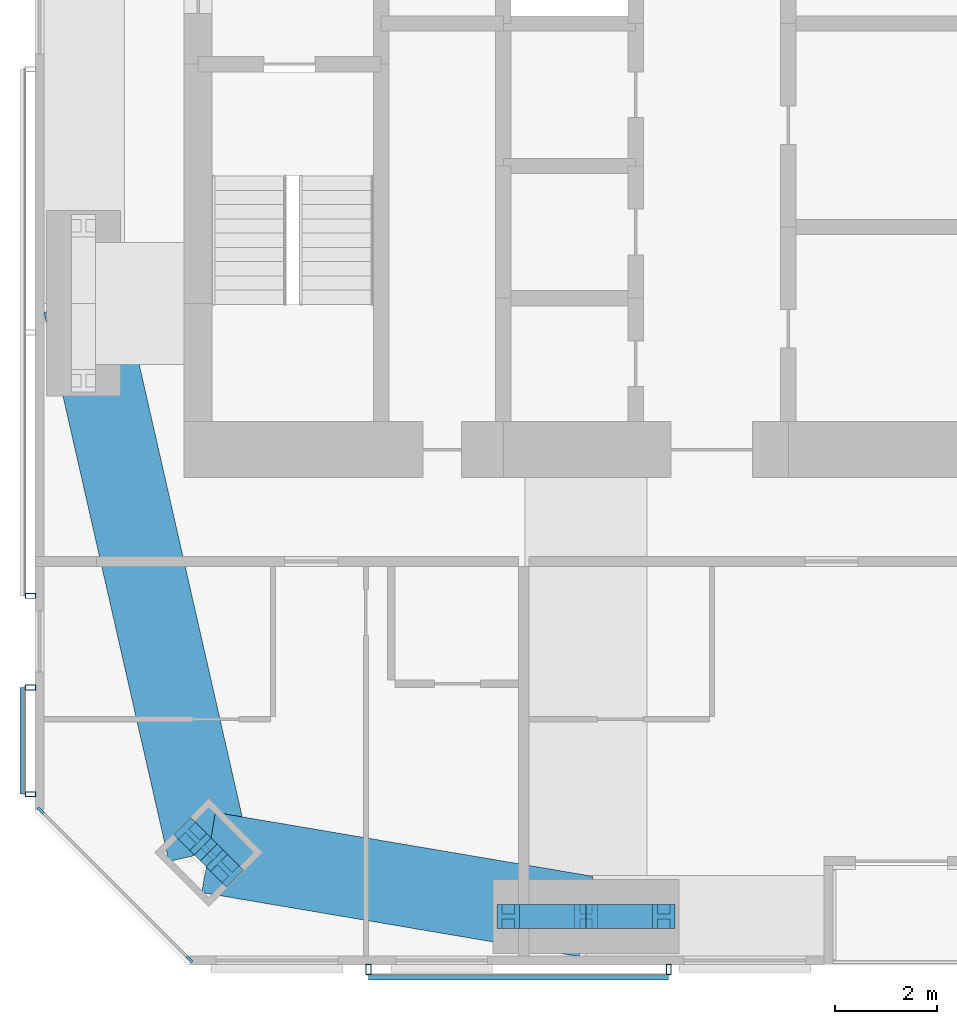
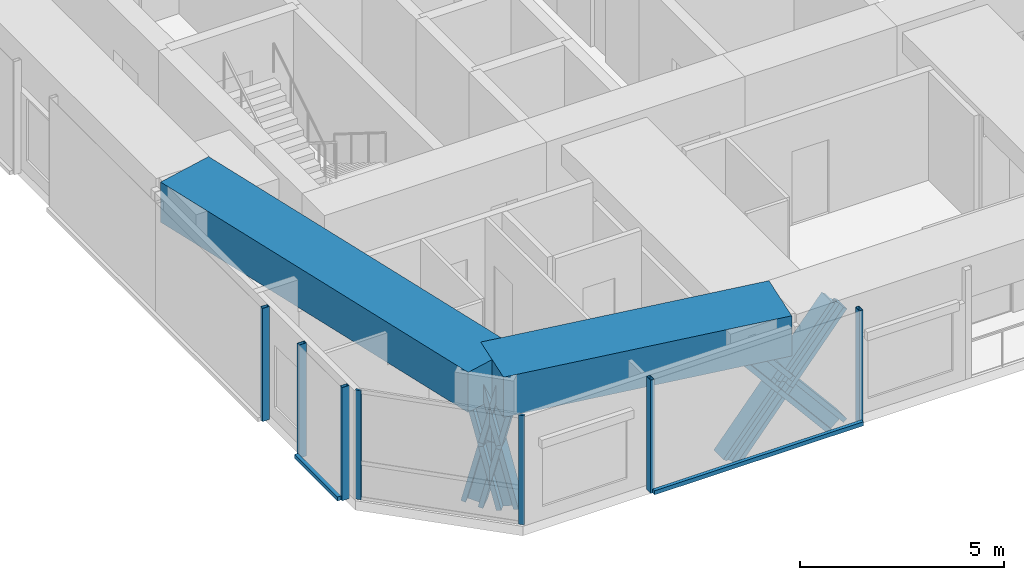
# One storey, part 2 of 19: 17 members, 2 beams, 4 elements without a shape of their own.
"""IFC4 building model written with IfcOpenShell, lengths in metres."""

import ifcopenshell
import ifcopenshell.guid

model = None  # the IFC model being written
_history = None  # IfcOwnerHistory: only IFC2X3 demands one
_inside = {}  # id of a spatial element -> (the spatial element, [elements in it])
_under = {}  # id of a project, library or spatial element -> (it, [spatial elements below it])
_declared = {}  # id of a project -> (the project, [libraries it declares])
_typed = {}  # id of a type object -> (the type object, [elements of that type])
_made_of = {}  # id of a material, layer set ... -> (it, [elements and type objects made of it])


def new_model(schema):
    """Start an empty IFC model of exactly this schema.

    Asked for "IFC4X3", IfcOpenShell would pick the latest addendum, in which some entities
    have other attributes; the version numbers below select the first issue.
    IFC2X3 requires an IfcOwnerHistory on every rooted entity: one is made here for all.
    """
    global model, _history
    if schema == "IFC4X3":
        model = ifcopenshell.file(schema_version=(4, 3, 0, 0))
    else:
        model = ifcopenshell.file(schema=schema)
    _inside.clear()
    _under.clear()
    _declared.clear()
    _typed.clear()
    _made_of.clear()
    _history = None
    if model.schema == "IFC2X3":
        org = make("IfcOrganization", Name="unknown")
        user = make(
            "IfcPersonAndOrganization",
            ThePerson=make("IfcPerson", FamilyName="unknown"),
            TheOrganization=org,
        )
        app = make(
            "IfcApplication",
            ApplicationDeveloper=org,
            Version="unknown",
            ApplicationFullName="unknown",
            ApplicationIdentifier="unknown",
        )
        _history = make(
            "IfcOwnerHistory",
            OwningUser=user,
            OwningApplication=app,
            ChangeAction="ADDED",
            CreationDate=0,
        )
    return model


def make(cls, **values):
    """One entity of the class cls with the attributes given. An attribute that is None is left unset."""
    return model.create_entity(
        cls, **{name: value for name, value in values.items() if value is not None}
    )


def rooted(cls, **values):
    """An entity with a GlobalId (a new one), such as an element, a storey or a relation."""
    return make(cls, GlobalId=ifcopenshell.guid.new(), OwnerHistory=_history, **values)


def si_unit(unit_type, name, prefix=None):
    """IfcSIUnit, for example si_unit("LENGTHUNIT", "METRE", prefix="MILLI")."""
    return make("IfcSIUnit", UnitType=unit_type, Prefix=prefix, Name=name)


def assignment(units):
    """IfcUnitAssignment: the units of a project."""
    return None if units is None else make("IfcUnitAssignment", Units=units)


def point(xyz):
    """IfcCartesianPoint."""
    return None if xyz is None else make("IfcCartesianPoint", Coordinates=xyz)


def direction(xyz):
    """IfcDirection."""
    return None if xyz is None else make("IfcDirection", DirectionRatios=xyz)


def frame(location, z_axis=None, x_axis=None):
    """IfcAxis2Placement3D, a coordinate frame: its origin and axes. An axis left out is left unset."""
    return make(
        "IfcAxis2Placement3D",
        Location=point(location),
        Axis=direction(z_axis),
        RefDirection=direction(x_axis),
    )


def frame_2d(location, x_axis=None):
    """IfcAxis2Placement2D, a coordinate frame in the plane: its origin and x axis."""
    return make(
        "IfcAxis2Placement2D", Location=point(location), RefDirection=direction(x_axis)
    )


def origin():
    """The frame at (0, 0, 0) with its axes left unset."""
    return frame((0.0, 0.0, 0.0))


def origin_2d():
    """The frame at (0, 0) in the plane with its x axis left unset."""
    return frame_2d((0.0, 0.0))


def place(relative_to, where):
    """IfcLocalPlacement: puts the frame where relative to a parent placement (None: the world)."""
    return make(
        "IfcLocalPlacement", PlacementRelTo=relative_to, RelativePlacement=where
    )


def context(
    kind, dimensions, precision=None, world=None, true_north=None, identifier=None
):
    """IfcGeometricRepresentationContext, for example the 3D "Model" context."""
    return make(
        "IfcGeometricRepresentationContext",
        ContextIdentifier=identifier,
        ContextType=kind,
        CoordinateSpaceDimension=dimensions,
        Precision=precision,
        WorldCoordinateSystem=world,
        TrueNorth=true_north,
    )


def subcontext(parent, identifier, kind, view, scale=None):
    """IfcGeometricRepresentationSubContext, for example "Body" below "Model"."""
    return make(
        "IfcGeometricRepresentationSubContext",
        ContextIdentifier=identifier,
        ContextType=kind,
        ParentContext=parent,
        TargetScale=scale,
        TargetView=view,
    )


def project(units=None, contexts=None):
    """IfcProject with its units and contexts."""
    return rooted(
        "IfcProject",
        Name="project",
        RepresentationContexts=contexts,
        UnitsInContext=assignment(units),
    )


def spatial(cls, under=None, at=None, **own):
    """A site, building, storey or space (cls), placed at a placement, below another one or the project."""
    s = rooted(cls, ObjectPlacement=at, **own)
    if under is not None:
        _under.setdefault(under.id(), (under, []))[1].append(s)
    return s


def profile(cls, at=None, kind="AREA", **sizes):
    """A parametric profile (cls). Its sizes go by their IFC names, for example OverallWidth=200.0."""
    return make(cls, ProfileType=kind, Position=at, **sizes)


def rectangle(**sizes):
    """IfcRectangleProfileDef."""
    return profile("IfcRectangleProfileDef", **sizes)


def hollow_rectangle(**sizes):
    """IfcRectangleHollowProfileDef."""
    return profile("IfcRectangleHollowProfileDef", **sizes)


def i_section(**sizes):
    """IfcIShapeProfileDef."""
    return profile("IfcIShapeProfileDef", **sizes)


def extrude(swept, where, along, depth):
    """IfcExtrudedAreaSolid: the profile swept, set in the frame where, extruded along a direction by depth."""
    return make(
        "IfcExtrudedAreaSolid",
        SweptArea=swept,
        Position=where,
        ExtrudedDirection=direction(along),
        Depth=depth,
    )


def shape(context_of_items, identifier, shape_type, items):
    """IfcShapeRepresentation: the items that make up one representation, for example the "Body"."""
    return make(
        "IfcShapeRepresentation",
        ContextOfItems=context_of_items,
        RepresentationIdentifier=identifier,
        RepresentationType=shape_type,
        Items=items,
    )


def material(Name=None, Category=None):
    """IfcMaterial."""
    return make("IfcMaterial", Name=Name, Category=Category)


def material_profile(
    of_material, cross_section, Name=None, Category=None, Priority=None
):
    """IfcMaterialProfile: a cross section and its material."""
    return make(
        "IfcMaterialProfile",
        Name=Name,
        Material=of_material,
        Profile=cross_section,
        Priority=Priority,
        Category=Category,
    )


def profile_set(profiles, Name=None, composite=None):
    """IfcMaterialProfileSet."""
    return make(
        "IfcMaterialProfileSet",
        Name=Name,
        MaterialProfiles=profiles,
        CompositeProfile=composite,
    )


def made_of(thing, what):
    """Note that an element or type object is made of a material, layer set ...; save() writes the relation."""
    if what is not None:
        _made_of.setdefault(what.id(), (what, []))[1].append(thing)
    return thing


def type_object(cls, material=None, **own):
    """A type object (cls), such as IfcWallType, which elements share."""
    return made_of(rooted(cls, **own), material)


def element(
    cls,
    number,
    at=None,
    inside=None,
    cuts=None,
    type_object=None,
    material=None,
    context=None,
    identifier="Body",
    shape_type=None,
    held_by="IfcProductDefinitionShape",
    body=None,
    shapes=None,
    **own,
):
    """One element of the class cls, such as IfcWall. Its Tag is "e" and its number.

    at: its placement. inside: the storey or other place that contains it. cuts: it is an
    opening in that element (IfcRelVoidsElement). A single representation is given by context,
    identifier, shape_type and body (its items); several are given by shapes. held_by: the class
    of the entity that holds the representations. save() writes the other relations.
    """
    e = rooted(cls, Tag="e%d" % number, ObjectPlacement=at, **own)
    if body is not None:
        shapes = [shape(context, identifier, shape_type, body)]
    if shapes is not None:
        e.Representation = make(held_by, Representations=shapes)
    if inside is not None:
        _inside.setdefault(inside.id(), (inside, []))[1].append(e)
    if cuts is not None:
        rooted(
            "IfcRelVoidsElement", RelatingBuildingElement=cuts, RelatedOpeningElement=e
        )
    if type_object is not None:
        _typed.setdefault(type_object.id(), (type_object, []))[1].append(e)
    return made_of(e, material)


def aggregate(whole, parts):
    """IfcRelAggregates: a whole, such as a stair, and the parts it consists of."""
    return rooted("IfcRelAggregates", RelatingObject=whole, RelatedObjects=parts)


def save(model, path):
    """Write the relations noted so far, then the file.

    IfcRelAggregates (storeys below a building ...), IfcRelContainedInSpatialStructure (elements
    in a storey), IfcRelDefinesByType, IfcRelAssociatesMaterial and IfcRelDeclares: one each for
    every whole, place, type object, material and project.
    """
    for whole, parts in _under.values():
        aggregate(whole, parts)
    for where, things in _inside.values():
        rooted(
            "IfcRelContainedInSpatialStructure",
            RelatedElements=things,
            RelatingStructure=where,
        )
    for kind, things in _typed.values():
        rooted("IfcRelDefinesByType", RelatedObjects=things, RelatingType=kind)
    for what, things in _made_of.values():
        rooted("IfcRelAssociatesMaterial", RelatedObjects=things, RelatingMaterial=what)
    for by, libraries in _declared.values():
        rooted("IfcRelDeclares", RelatingContext=by, RelatedDefinitions=libraries)
    model.write(path)


model = new_model("IFC4")

# Units and contexts
model_context = context("Model", 3, precision=1e-05, world=origin(), true_north=direction((0.0, 1.0)))
body_context = subcontext(model_context, "Body", "Model", "MODEL_VIEW")
ifc_project = project(units=[si_unit("LENGTHUNIT", "METRE"), si_unit("AREAUNIT", "SQUARE_METRE"), si_unit("VOLUMEUNIT", "CUBIC_METRE"), si_unit("PLANEANGLEUNIT", "RADIAN"), si_unit("MASSUNIT", "GRAM", prefix="KILO")], contexts=[model_context])

# Site, building, storey
site_placement = place(None, origin())
site = spatial("IfcSite", under=ifc_project, at=site_placement, CompositionType="ELEMENT")
building_placement = place(site_placement, origin())
building = spatial("IfcBuilding", under=site, at=building_placement, Name="Jalousie Tower", CompositionType="ELEMENT")
storey_placement = place(building_placement, frame((0.0, 0.0, 217.949951171875)))
storey = spatial("IfcBuildingStorey", under=building, at=storey_placement, Name="L59", CompositionType="ELEMENT", Elevation=217.949951171875)

# Curtain wall, members
ifc_material_1 = material(Name="Aluminium curtain wall", Category="aluminium")
curtain_wall_type_1 = type_object("IfcCurtainWallType", Name="CORNER WINDOW WALL", PredefinedType="USERDEFINED", material=ifc_material_1)
curtain_wall_1_placement = place(storey_placement, origin())
curtain_wall_1 = element("IfcCurtainWall", 1, at=curtain_wall_1_placement, inside=storey, type_object=curtain_wall_type_1, Name="Corner Window Wall L59 8", ObjectType="CORNER WINDOW WALL", PredefinedType="USERDEFINED")
ifc_material_2 = material(Name="Aluminium mullion", Category="aluminium")
ifc_material_profile_1 = material_profile(ifc_material_2, rectangle(XDim=0.06005859375, YDim=0.14990234375, at=origin_2d()), Name="MULLION 60x150")
ifc_profile_set_1 = profile_set([ifc_material_profile_1], Name="Aluminium mullion")
member_type_1 = type_object("IfcMemberType", Name="CORNER WINDOW WALL MULLION", PredefinedType="MULLION", material=ifc_profile_set_1)
member_1_placement = place(storey_placement, frame((16.90869140625, 3.030029296875, 0.0), z_axis=(0.0, 0.0, 1.0), x_axis=(0.707106781187, 0.707106781187, 0.0)))
member_1 = element("IfcMember", 2, at=member_1_placement, type_object=member_type_1, Name="CW-C mullion 1", PredefinedType="MULLION", context=body_context, shape_type="SweptSolid", body=[
    extrude(rectangle(XDim=0.06005859375, YDim=0.14990234375, at=origin_2d()), origin(), (0.0, 0.0, 1.0), 3.260009765625),
])
member_2_placement = place(storey_placement, frame((19.830078125, 0.108642578125, 0.0), z_axis=(0.0, 0.0, 1.0), x_axis=(0.707106781187, 0.707106781187, 0.0)))
member_2 = element("IfcMember", 3, at=member_2_placement, type_object=member_type_1, Name="CW-C mullion 2", PredefinedType="MULLION", context=body_context, shape_type="SweptSolid", body=[
    extrude(rectangle(XDim=0.06005859375, YDim=0.14990234375, at=origin_2d()), origin(), (0.0, 0.0, 1.0), 3.260009765625),
])
aggregate(curtain_wall_1, [member_1, member_2])

# Members
ifc_material_3 = material(Name="Steel ASTM A992 Grade 50", Category="steel")
ifc_material_profile_2 = material_profile(ifc_material_3, i_section(OverallWidth=0.472412109375, OverallDepth=0.5791015625, WebThickness=0.094970703125, FlangeThickness=0.1298828125, at=origin_2d()), Name="W14X808")
ifc_profile_set_2 = profile_set([ifc_material_profile_2], Name="Steel ASTM A992 Grade 50")
member_type_2 = type_object("IfcMemberType", Name="PERIMETER BRACE W14X808", PredefinedType="BRACE", material=ifc_profile_set_2)
member_3_placement = place(storey_placement, frame((19.888916015625, 2.525390625, -0.75), z_axis=(0.16924383095, -0.169373718771, 0.970911463047), x_axis=(0.707377963048, 0.706835495285, 0.0)))
element("IfcMember", 4, at=member_3_placement, inside=storey, type_object=member_type_2, Name="Perimeter brace 01 L59 part 1", PredefinedType="BRACE", context=body_context, shape_type="SweptSolid", body=[
    extrude(i_section(OverallWidth=0.472412109375, OverallDepth=0.5791015625, WebThickness=0.094970703125, FlangeThickness=0.1298828125, at=origin_2d()), origin(), (0.0, 0.0, 1.0), 1.879638671875),
])
member_4_placement = place(storey_placement, frame((20.20703125, 2.20703125, 1.074951171875), z_axis=(0.169352361735, -0.169222490292, 0.970918908228), x_axis=(0.706835495285, 0.707377963048, 0.0)))
element("IfcMember", 5, at=member_4_placement, inside=storey, type_object=member_type_2, Name="Perimeter brace 01 L59 part 2", PredefinedType="BRACE", context=body_context, shape_type="SweptSolid", body=[
    extrude(i_section(OverallWidth=0.472412109375, OverallDepth=0.5791015625, WebThickness=0.094970703125, FlangeThickness=0.1298828125, at=origin_2d()), origin(), (0.0, 0.0, 1.0), 1.8798828125),
])
member_5_placement = place(storey_placement, frame((20.525390625, 1.888916015625, -0.75), z_axis=(-0.169373718771, 0.16924383095, 0.970911463047), x_axis=(-0.706835495285, -0.707377963048, 0.0)))
element("IfcMember", 6, at=member_5_placement, inside=storey, type_object=member_type_2, Name="Perimeter brace 01 L59 part 3", PredefinedType="BRACE", context=body_context, shape_type="SweptSolid", body=[
    extrude(i_section(OverallWidth=0.472412109375, OverallDepth=0.5791015625, WebThickness=0.094970703125, FlangeThickness=0.1298828125, at=origin_2d()), origin(), (0.0, 0.0, 1.0), 1.879638671875),
])
member_6_placement = place(storey_placement, frame((20.20703125, 2.20703125, 1.074951171875), z_axis=(-0.169222490292, 0.169352361735, 0.970918908228), x_axis=(-0.707377963048, -0.706835495285, 0.0)))
element("IfcMember", 7, at=member_6_placement, inside=storey, type_object=member_type_2, Name="Perimeter brace 01 L59 part 4", PredefinedType="BRACE", context=body_context, shape_type="SweptSolid", body=[
    extrude(i_section(OverallWidth=0.472412109375, OverallDepth=0.5791015625, WebThickness=0.094970703125, FlangeThickness=0.1298828125, at=origin_2d()), origin(), (0.0, 0.0, 1.0), 1.8798828125),
])
member_7_placement = place(storey_placement, frame((26.10009765625, 0.949951171875, -0.75), z_axis=(0.641203686759, 0.0, 0.767370726629), x_axis=(0.0, 1.0, 0.0)))
element("IfcMember", 8, at=member_7_placement, inside=storey, type_object=member_type_2, Name="Perimeter brace 02 L59 part 1", PredefinedType="BRACE", context=body_context, shape_type="SweptSolid", body=[
    extrude(i_section(OverallWidth=0.472412109375, OverallDepth=0.5791015625, WebThickness=0.094970703125, FlangeThickness=0.1298828125, at=origin_2d()), origin(), (0.0, 0.0, 1.0), 2.378173828125),
])
member_8_placement = place(storey_placement, frame((27.625, 0.949951171875, 1.074951171875), z_axis=(0.641153177267, 0.0, 0.767412928794), x_axis=(0.0, 1.0, 0.0)))
element("IfcMember", 9, at=member_8_placement, inside=storey, type_object=member_type_2, Name="Perimeter brace 02 L59 part 2", PredefinedType="BRACE", context=body_context, shape_type="SweptSolid", body=[
    extrude(i_section(OverallWidth=0.472412109375, OverallDepth=0.5791015625, WebThickness=0.094970703125, FlangeThickness=0.1298828125, at=origin_2d()), origin(), (0.0, 0.0, 1.0), 2.37841796875),
])
member_9_placement = place(storey_placement, frame((29.14990234375, 0.949951171875, -0.75), z_axis=(-0.641203686759, 0.0, 0.767370726629), x_axis=(0.0, -1.0, 0.0)))
element("IfcMember", 10, at=member_9_placement, inside=storey, type_object=member_type_2, Name="Perimeter brace 02 L59 part 3", PredefinedType="BRACE", context=body_context, shape_type="SweptSolid", body=[
    extrude(i_section(OverallWidth=0.472412109375, OverallDepth=0.5791015625, WebThickness=0.094970703125, FlangeThickness=0.1298828125, at=origin_2d()), origin(), (0.0, 0.0, 1.0), 2.378173828125),
])
member_10_placement = place(storey_placement, frame((27.625, 0.949951171875, 1.074951171875), z_axis=(-0.641153177267, 0.0, 0.767412928794), x_axis=(0.0, -1.0, 0.0)))
element("IfcMember", 11, at=member_10_placement, inside=storey, type_object=member_type_2, Name="Perimeter brace 02 L59 part 4", PredefinedType="BRACE", context=body_context, shape_type="SweptSolid", body=[
    extrude(i_section(OverallWidth=0.472412109375, OverallDepth=0.5791015625, WebThickness=0.094970703125, FlangeThickness=0.1298828125, at=origin_2d()), origin(), (0.0, 0.0, 1.0), 2.37841796875),
])

# Beams
ifc_material_4 = material(Name="Concrete f'c 40 MPa", Category="concrete")
ifc_material_profile_3 = material_profile(ifc_material_4, rectangle(XDim=1.60009765625, YDim=1.199951171875, at=origin_2d()), Name="RC 1600x1200")
ifc_profile_set_3 = profile_set([ifc_material_profile_3], Name="Concrete f'c 40 MPa")
beam_type = type_object("IfcBeamType", Name="RC BEAM 1600x1200", PredefinedType="BEAM", material=ifc_profile_set_3)
beam_1_placement = place(storey_placement, frame((20.20703125, 2.20703125, 2.900146484375), z_axis=(0.985942997446, -0.167082033105, 0.0), x_axis=(0.167082033105, 0.985942997446, 0.0)))
element("IfcBeam", 12, at=beam_1_placement, inside=storey, type_object=beam_type, Name="Edge band beam 01-02 under L60", PredefinedType="BEAM", context=body_context, shape_type="SweptSolid", body=[
    extrude(rectangle(XDim=1.60009765625, YDim=1.199951171875, at=origin_2d()), origin(), (0.0, 0.0, 1.0), 7.523681640625),
])
beam_2_placement = place(storey_placement, frame((17.75, 13.0, 2.900146484375), z_axis=(0.221971905818, -0.975053061647, 0.0), x_axis=(0.975053061647, 0.221971905818, 0.0)))
element("IfcBeam", 13, at=beam_2_placement, inside=storey, type_object=beam_type, Name="Edge band beam 14-01 under L60", PredefinedType="BEAM", context=body_context, shape_type="SweptSolid", body=[
    extrude(rectangle(XDim=1.60009765625, YDim=1.199951171875, at=origin_2d()), origin(), (0.0, 0.0, 1.0), 11.069091796875),
])

# Curtain wall, members
ifc_material_5 = material(Name="Perforated aluminium sheet", Category="aluminium")
curtain_wall_type_2 = type_object("IfcCurtainWallType", Name="SOLAR SCREEN SS-2", PredefinedType="USERDEFINED", material=ifc_material_5)
curtain_wall_2_placement = place(storey_placement, origin())
curtain_wall_2 = element("IfcCurtainWall", 14, at=curtain_wall_2_placement, inside=storey, type_object=curtain_wall_type_2, Name="Solar screen L59", ObjectType="SOLAR SCREEN SS-2", PredefinedType="USERDEFINED")
ifc_material_6 = material(Name="Steel ASTM A500 Grade C", Category="steel")
ifc_material_profile_4 = material_profile(ifc_material_6, hollow_rectangle(XDim=0.1015625, YDim=0.203125, WallThickness=0.0078125, at=origin_2d()), Name="HSS8X4X5/16")
ifc_profile_set_4 = profile_set([ifc_material_profile_4], Name="Steel ASTM A500 Grade C")
member_type_3 = type_object("IfcMemberType", Name="SOLAR SCREEN SS-2 MULLION", PredefinedType="MULLION", material=ifc_profile_set_4)
member_11_placement = place(storey_placement, frame((23.35009765625, -0.0966796875, -0.119873046875), z_axis=(0.0, 0.0, 1.0), x_axis=(1.0, 0.0, 0.0)))
member_11 = element("IfcMember", 15, at=member_11_placement, type_object=member_type_3, Name="SS2 post 1", PredefinedType="MULLION", context=body_context, shape_type="SweptSolid", body=[
    extrude(hollow_rectangle(XDim=0.1015625, YDim=0.203125, WallThickness=0.0078125, at=origin_2d()), origin(), (0.0, 0.0, 1.0), 3.3798828125),
])
member_12_placement = place(storey_placement, frame((29.25, -0.0966796875, -0.119873046875), z_axis=(0.0, 0.0, 1.0), x_axis=(1.0, 0.0, 0.0)))
member_12 = element("IfcMember", 16, at=member_12_placement, type_object=member_type_3, Name="SS2 post 2", PredefinedType="MULLION", context=body_context, shape_type="SweptSolid", body=[
    extrude(hollow_rectangle(XDim=0.1015625, YDim=0.203125, WallThickness=0.0078125, at=origin_2d()), origin(), (0.0, 0.0, 1.0), 3.3798828125),
])

# Curtain wall, member
curtain_wall_3_placement = place(storey_placement, origin())
curtain_wall_3 = element("IfcCurtainWall", 17, at=curtain_wall_3_placement, inside=storey, type_object=curtain_wall_type_2, Name="Solar screen L59", ObjectType="SOLAR SCREEN SS-2", PredefinedType="USERDEFINED")
member_13_placement = place(storey_placement, frame((16.703369140625, 7.25, -0.119873046875), z_axis=(0.0, 0.0, 1.0), x_axis=(0.0, -1.0, 0.0)))
member_13 = element("IfcMember", 18, at=member_13_placement, type_object=member_type_3, Name="SS2 post 3", PredefinedType="MULLION", context=body_context, shape_type="SweptSolid", body=[
    extrude(hollow_rectangle(XDim=0.1015625, YDim=0.203125, WallThickness=0.0078125, at=origin_2d()), origin(), (0.0, 0.0, 1.0), 3.3798828125),
])
aggregate(curtain_wall_3, [member_13])

# Curtain wall, members
curtain_wall_4_placement = place(storey_placement, origin())
curtain_wall_4 = element("IfcCurtainWall", 19, at=curtain_wall_4_placement, inside=storey, type_object=curtain_wall_type_2, Name="Solar screen L59", ObjectType="SOLAR SCREEN SS-2", PredefinedType="USERDEFINED")
member_14_placement = place(storey_placement, frame((16.703369140625, 5.449951171875, -0.119873046875), z_axis=(0.0, 0.0, 1.0), x_axis=(0.0, -1.0, 0.0)))
member_14 = element("IfcMember", 20, at=member_14_placement, type_object=member_type_3, Name="SS2 post 1", PredefinedType="MULLION", context=body_context, shape_type="SweptSolid", body=[
    extrude(hollow_rectangle(XDim=0.1015625, YDim=0.203125, WallThickness=0.0078125, at=origin_2d()), origin(), (0.0, 0.0, 1.0), 3.3798828125),
])
member_15_placement = place(storey_placement, frame((16.703369140625, 3.351318359375, -0.119873046875), z_axis=(0.0, 0.0, 1.0), x_axis=(0.0, -1.0, 0.0)))
member_15 = element("IfcMember", 21, at=member_15_placement, type_object=member_type_3, Name="SS2 post 2", PredefinedType="MULLION", context=body_context, shape_type="SweptSolid", body=[
    extrude(hollow_rectangle(XDim=0.1015625, YDim=0.203125, WallThickness=0.0078125, at=origin_2d()), origin(), (0.0, 0.0, 1.0), 3.3798828125),
])

# Member
ifc_material_7 = material(Name="Extruded aluminium screen rail", Category="aluminium")
ifc_material_profile_5 = material_profile(ifc_material_7, rectangle(XDim=0.1015625, YDim=0.1201171875, at=origin_2d()), Name="RAIL 102x120")
ifc_profile_set_5 = profile_set([ifc_material_profile_5], Name="Extruded aluminium screen rail")
member_type_4 = type_object("IfcMemberType", Name="SOLAR SCREEN SS-2 TRANSOM", PredefinedType="USERDEFINED", material=ifc_profile_set_5)
member_16_placement = place(storey_placement, frame((23.35009765625, -0.2490234375, -0.06005859375), z_axis=(1.0, 0.0, 0.0), x_axis=(0.0, 1.0, 0.0)))
member_16 = element("IfcMember", 22, at=member_16_placement, type_object=member_type_4, Name="SS2 rail", ObjectType="TRANSOM", PredefinedType="USERDEFINED", context=body_context, shape_type="SweptSolid", body=[
    extrude(rectangle(XDim=0.1015625, YDim=0.1201171875, at=origin_2d()), origin(), (0.0, 0.0, 1.0), 5.89990234375),
])

aggregate(curtain_wall_2, [member_11, member_12, member_16])

member_17_placement = place(storey_placement, frame((16.551025390625, 5.449951171875, -0.06005859375), z_axis=(0.0, -1.0, 0.0), x_axis=(1.0, 0.0, 0.0)))
member_17 = element("IfcMember", 23, at=member_17_placement, type_object=member_type_4, Name="SS2 rail", ObjectType="TRANSOM", PredefinedType="USERDEFINED", context=body_context, shape_type="SweptSolid", body=[
    extrude(rectangle(XDim=0.1015625, YDim=0.1201171875, at=origin_2d()), origin(), (0.0, 0.0, 1.0), 2.0986328125),
])

aggregate(curtain_wall_4, [member_14, member_15, member_17])

save(model, "model.ifc")
